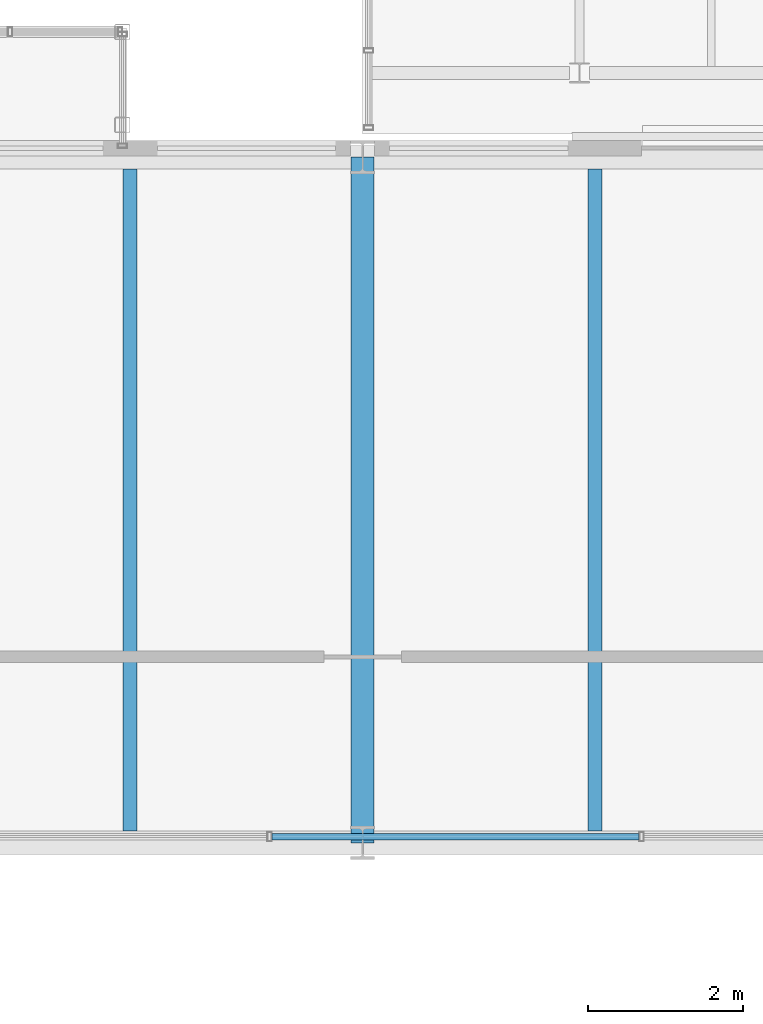
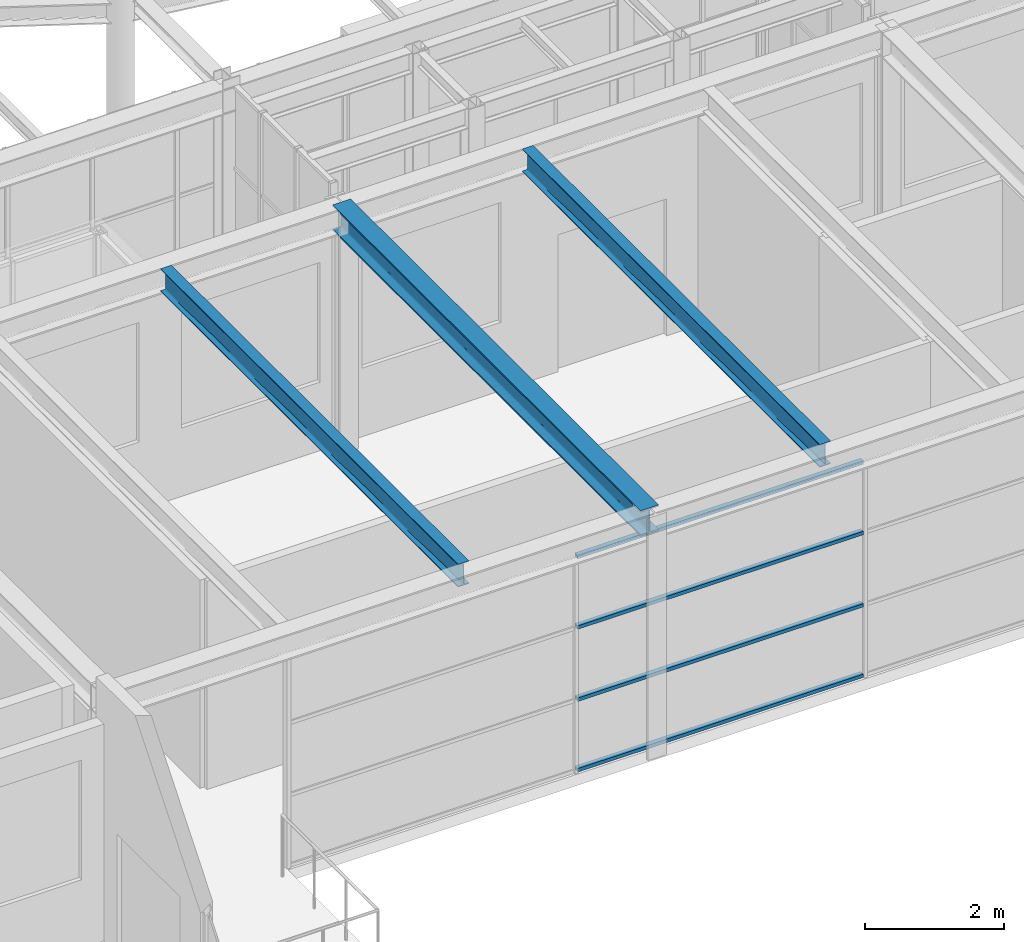
# One storey, part 25 of 70: 4 members, 3 beams, 1 element without a shape of its own.
"""IFC4 building model written with IfcOpenShell, lengths in metres."""

from ifc_helpers import new_model, si_unit, direction, frame, origin, origin_2d, place, context, subcontext, project, spatial, hollow_rectangle, i_section, extrude, material, material_profile, profile_set, type_object, element, aggregate, save


model = new_model("IFC4")

# Units and contexts
model_context = context("Model", 3, precision=1e-05, world=origin(), true_north=direction((0.0, 1.0)))
body_context = subcontext(model_context, "Body", "Model", "MODEL_VIEW")
ifc_project = project(units=[si_unit("LENGTHUNIT", "METRE"), si_unit("AREAUNIT", "SQUARE_METRE"), si_unit("VOLUMEUNIT", "CUBIC_METRE"), si_unit("PLANEANGLEUNIT", "RADIAN"), si_unit("MASSUNIT", "GRAM", prefix="KILO")], contexts=[model_context])

# Site, building, storey
site_placement = place(None, origin())
site = spatial("IfcSite", under=ifc_project, at=site_placement, CompositionType="ELEMENT")
building_placement = place(site_placement, origin())
building = spatial("IfcBuilding", under=site, at=building_placement, Name="Kallimachos Central Library", CompositionType="ELEMENT")
storey_placement = place(building_placement, frame((0.0, 0.0, 18.89990234375)))
storey = spatial("IfcBuildingStorey", under=building, at=storey_placement, Name="L04", CompositionType="ELEMENT", Elevation=18.89990234375)

# Curtain wall, members
ifc_material_1 = material(Name="Aluminium and laminated glass", Category="aluminium")
curtain_wall_type = type_object("IfcCurtainWallType", Name="Atrium glazed screen", PredefinedType="NOTDEFINED", material=ifc_material_1)
curtain_wall_placement = place(storey_placement, origin())
curtain_wall = element("IfcCurtainWall", 1, at=curtain_wall_placement, inside=storey, type_object=curtain_wall_type, Name="L04 atrium screen N", PredefinedType="NOTDEFINED")
ifc_material_2 = material(Name="Anodised aluminium", Category="aluminium")
ifc_material_profile_1 = material_profile(ifc_material_2, hollow_rectangle(XDim=0.06005859375, YDim=0.080078125, WallThickness=0.00390625, at=origin_2d()), Name="ALU TRANSOM 60x80")
ifc_profile_set_1 = profile_set([ifc_material_profile_1], Name="Anodised aluminium")
member_type = type_object("IfcMemberType", Name="Atrium screen transom", PredefinedType="USERDEFINED", material=ifc_profile_set_1)
member_1_placement = place(storey_placement, frame((82.330078125, 75.080078125, 0.030029296875), z_axis=(1.0, 0.0, 0.0), x_axis=(0.0, 0.0, 1.0)))
member_1 = element("IfcMember", 2, at=member_1_placement, type_object=member_type, Name="CW transom 2.1", ObjectType="TRANSOM", PredefinedType="USERDEFINED", context=body_context, shape_type="SweptSolid", body=[
    extrude(hollow_rectangle(XDim=0.06005859375, YDim=0.080078125, WallThickness=0.00390625, at=origin_2d()), origin(), (0.0, 0.0, 1.0), 4.739990234375),
])
member_2_placement = place(storey_placement, frame((82.330078125, 75.080078125, 1.266845703125), z_axis=(1.0, 0.0, 0.0), x_axis=(0.0, 0.0, 1.0)))
member_2 = element("IfcMember", 3, at=member_2_placement, type_object=member_type, Name="CW transom 2.2", ObjectType="TRANSOM", PredefinedType="USERDEFINED", context=body_context, shape_type="SweptSolid", body=[
    extrude(hollow_rectangle(XDim=0.06005859375, YDim=0.080078125, WallThickness=0.00390625, at=origin_2d()), origin(), (0.0, 0.0, 1.0), 4.739990234375),
])
member_3_placement = place(storey_placement, frame((82.330078125, 75.080078125, 2.533447265625), z_axis=(1.0, 0.0, 0.0), x_axis=(0.0, 0.0, 1.0)))
member_3 = element("IfcMember", 4, at=member_3_placement, type_object=member_type, Name="CW transom 2.3", ObjectType="TRANSOM", PredefinedType="USERDEFINED", context=body_context, shape_type="SweptSolid", body=[
    extrude(hollow_rectangle(XDim=0.06005859375, YDim=0.080078125, WallThickness=0.00390625, at=origin_2d()), origin(), (0.0, 0.0, 1.0), 4.739990234375),
])
member_4_placement = place(storey_placement, frame((82.330078125, 75.080078125, 3.77001953125), z_axis=(1.0, 0.0, 0.0), x_axis=(0.0, 0.0, 1.0)))
member_4 = element("IfcMember", 5, at=member_4_placement, type_object=member_type, Name="CW transom 2.4", ObjectType="TRANSOM", PredefinedType="USERDEFINED", context=body_context, shape_type="SweptSolid", body=[
    extrude(hollow_rectangle(XDim=0.06005859375, YDim=0.080078125, WallThickness=0.00390625, at=origin_2d()), origin(), (0.0, 0.0, 1.0), 4.739990234375),
])
aggregate(curtain_wall, [member_1, member_2, member_3, member_4])

# Beams
ifc_material_3 = material(Name="Steel S355J2", Category="steel")
ifc_material_profile_2 = material_profile(ifc_material_3, i_section(OverallWidth=0.300048828125, OverallDepth=0.449951171875, WebThickness=0.013916015625, FlangeThickness=0.02587890625, FilletRadius=0.027099609375, at=origin_2d()), Name="HEB 450")
ifc_profile_set_2 = profile_set([ifc_material_profile_2], Name="Steel S355J2")
beam_type_1 = type_object("IfcBeamType", Name="HEB 450 beam", PredefinedType="BEAM", material=ifc_profile_set_2)
beam_placement = place(storey_placement, frame((83.5, 75.0, 4.025146484375), z_axis=(0.0, 1.0, 0.0), x_axis=(-1.0, 0.0, 0.0)))
element("IfcBeam", 6, at=beam_placement, inside=storey, type_object=beam_type_1, Name="V4-BEM-L04-011", PredefinedType="BEAM", context=body_context, shape_type="SweptSolid", body=[
    extrude(i_section(OverallWidth=0.300048828125, OverallDepth=0.449951171875, WebThickness=0.013916015625, FlangeThickness=0.02587890625, FilletRadius=0.027099609375, at=origin_2d()), origin(), (0.0, 0.0, 1.0), 8.85009765625),
])
ifc_material_4 = material(Name="Steel S355J2", Category="steel")
ifc_material_profile_3 = material_profile(ifc_material_4, i_section(OverallWidth=0.179931640625, OverallDepth=0.39990234375, WebThickness=0.008544921875, FlangeThickness=0.013427734375, FilletRadius=0.02099609375, at=origin_2d()), Name="IPE 400")
ifc_profile_set_3 = profile_set([ifc_material_profile_3], Name="Steel S355J2")
beam_type_2 = type_object("IfcBeamType", Name="IPE 400 beam", PredefinedType="BEAM", material=ifc_profile_set_3)
for number, where, z_axis, x_axis, name in (
    (7, (80.5, 75.14990234375, 4.050048828125), (0.0, 1.0, 0.0), (-1.0, 0.0, 0.0), "V4-BEM-L04-016"),
    (8, (86.5, 75.14990234375, 4.050048828125), (0.0, 1.0, 0.0), (-1.0, 0.0, 0.0), "V4-BEM-L04-017"),
):
    element("IfcBeam", number, at=place(storey_placement, frame(where, z_axis=z_axis, x_axis=x_axis)), inside=storey, type_object=beam_type_2, Name=name, PredefinedType="BEAM", context=body_context, shape_type="SweptSolid", body=[
        extrude(i_section(OverallWidth=0.179931640625, OverallDepth=0.39990234375, WebThickness=0.008544921875, FlangeThickness=0.013427734375, FilletRadius=0.02099609375, at=origin_2d()), origin(), (0.0, 0.0, 1.0), 8.550048828125),
    ])

save(model, "model.ifc")
